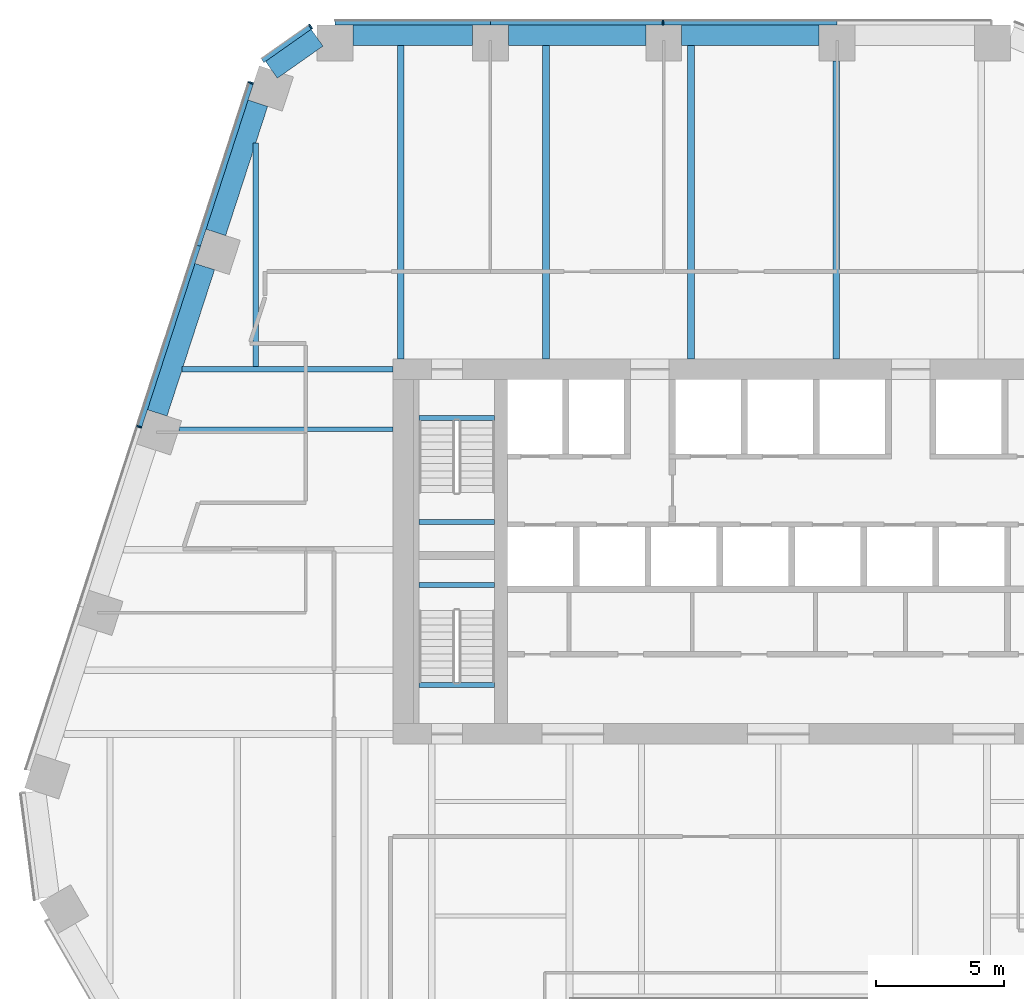
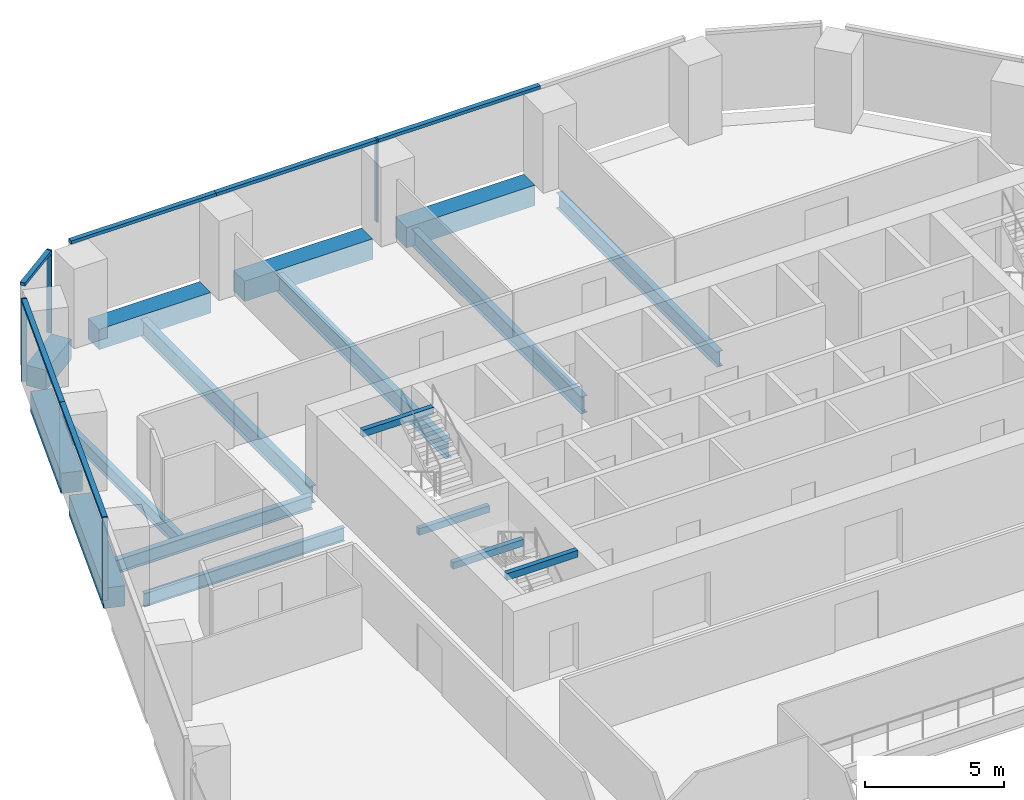
# One storey, part 7 of 16: 17 beams, 10 members, 3 elements without a shape of their own.
"""IFC4 building model written with IfcOpenShell, lengths in metres."""

from ifc_helpers import new_model, si_unit, direction, frame, origin, origin_2d, place, context, subcontext, project, spatial, rectangle, i_section, extrude, material, layer, layer_set, material_profile, profile_set, type_object, element, aggregate, save


model = new_model("IFC4")

# Units and contexts
model_context = context("Model", 3, precision=1e-05, world=origin(), true_north=direction((0.0, 1.0)))
body_context = subcontext(model_context, "Body", "Model", "MODEL_VIEW")
ifc_project = project(units=[si_unit("LENGTHUNIT", "METRE"), si_unit("AREAUNIT", "SQUARE_METRE"), si_unit("VOLUMEUNIT", "CUBIC_METRE"), si_unit("PLANEANGLEUNIT", "RADIAN"), si_unit("MASSUNIT", "GRAM", prefix="KILO")], contexts=[model_context])

# Site, building, storey
site_placement = place(None, origin())
site = spatial("IfcSite", under=ifc_project, at=site_placement, CompositionType="ELEMENT")
building_placement = place(site_placement, origin())
building = spatial("IfcBuilding", under=site, at=building_placement, Name="Isthmus Gate Tower", CompositionType="ELEMENT")
storey_placement = place(building_placement, frame((0.0, 0.0, 151.699951171875)))
storey = spatial("IfcBuildingStorey", under=building, at=storey_placement, Name="L37", CompositionType="ELEMENT", Elevation=151.699951171875)

# Curtain wall, member
ifc_material_1 = material(Name="Aluminium, pale champagne anodised", Category="aluminium")
ifc_layer = layer(ifc_material_1, 0.199951171875)
ifc_layer_set = layer_set([ifc_layer], Name="CW-1 UNITISED CURTAIN WALL 200 DEEP")
curtain_wall_type = type_object("IfcCurtainWallType", Name="CW-1 UNITISED CURTAIN WALL 200 DEEP", PredefinedType="NOTDEFINED", material=ifc_layer_set)
curtain_wall_1_placement = place(storey_placement, origin())
curtain_wall_1 = element("IfcCurtainWall", 1, at=curtain_wall_1_placement, inside=storey, type_object=curtain_wall_type, Name="CW-1 N L37", PredefinedType="NOTDEFINED")
ifc_material_2 = material(Name="Aluminium, pale champagne anodised", Category="aluminium")
ifc_material_profile_1 = material_profile(ifc_material_2, rectangle(XDim=0.06005859375, YDim=0.199951171875, at=origin_2d()), Name="60x200")
ifc_profile_set_1 = profile_set([ifc_material_profile_1], Name="Aluminium, pale champagne anodised")
member_type_1 = type_object("IfcMemberType", Name="CW-1 MULLION 60 X 200", PredefinedType="MULLION", material=ifc_profile_set_1)
member_1_placement = place(storey_placement, frame((-4.49169921875, 28.10009765625, 0.0), z_axis=(0.0, 0.0, 1.0), x_axis=(-1.0, 0.0, 0.0)))
member_1 = element("IfcMember", 2, at=member_1_placement, type_object=member_type_1, Name="CW-1 mullion", PredefinedType="MULLION", context=body_context, shape_type="SweptSolid", body=[
    extrude(rectangle(XDim=0.06005859375, YDim=0.199951171875, at=origin_2d()), origin(), (0.0, 0.0, 1.0), 3.650146484375),
])

curtain_wall_2_placement = place(storey_placement, origin())
curtain_wall_2 = element("IfcCurtainWall", 3, at=curtain_wall_2_placement, inside=storey, type_object=curtain_wall_type, Name="CW-1 N-NW L37", PredefinedType="NOTDEFINED")
member_2_placement = place(storey_placement, frame((-18.216552734375, 27.943115234375, 0.0), z_axis=(0.0, 0.0, 1.0), x_axis=(-0.81785959165, -0.57541783805, 0.0)))
member_2 = element("IfcMember", 4, at=member_2_placement, type_object=member_type_1, Name="CW-1 mullion", PredefinedType="MULLION", context=body_context, shape_type="SweptSolid", body=[
    extrude(rectangle(XDim=0.06005859375, YDim=0.199951171875, at=origin_2d()), origin(), (0.0, 0.0, 1.0), 3.650146484375),
])

# Curtain wall, members
curtain_wall_3_placement = place(storey_placement, origin())
curtain_wall_3 = element("IfcCurtainWall", 5, at=curtain_wall_3_placement, inside=storey, type_object=curtain_wall_type, Name="CW-1 NW L37", PredefinedType="NOTDEFINED")
member_3_placement = place(storey_placement, frame((-20.53564453125, 25.75146484375, 0.0), z_axis=(0.0, 0.0, 1.0), x_axis=(-0.309016994375, -0.951056516295, 0.0)))
member_3 = element("IfcMember", 6, at=member_3_placement, type_object=member_type_1, Name="CW-1 mullion", PredefinedType="MULLION", context=body_context, shape_type="SweptSolid", body=[
    extrude(rectangle(XDim=0.06005859375, YDim=0.199951171875, at=origin_2d()), origin(), (0.0, 0.0, 1.0), 3.650146484375),
])
member_4_placement = place(storey_placement, frame((-24.886962890625, 12.359130859375, 0.0), z_axis=(0.0, 0.0, 1.0), x_axis=(-0.309016994375, -0.951056516295, 0.0)))
member_4 = element("IfcMember", 7, at=member_4_placement, type_object=member_type_1, Name="CW-1 mullion", PredefinedType="MULLION", context=body_context, shape_type="SweptSolid", body=[
    extrude(rectangle(XDim=0.06005859375, YDim=0.199951171875, at=origin_2d()), origin(), (0.0, 0.0, 1.0), 3.650146484375),
])

# Member
ifc_material_3 = material(Name="Aluminium, pale champagne anodised", Category="aluminium")
ifc_material_profile_2 = material_profile(ifc_material_3, rectangle(XDim=0.199951171875, YDim=0.139892578125, at=origin_2d()), Name="200x140")
ifc_profile_set_2 = profile_set([ifc_material_profile_2], Name="Aluminium, pale champagne anodised")
member_type_2 = type_object("IfcMemberType", Name="CW-1 TRANSOM 200 X 140", PredefinedType="USERDEFINED", material=ifc_profile_set_2)
member_5_placement = place(storey_placement, frame((2.288330078125, 28.10009765625, 3.580078125), z_axis=(-1.0, 0.0, 0.0), x_axis=(0.0, -1.0, 0.0)))
member_5 = element("IfcMember", 8, at=member_5_placement, type_object=member_type_2, Name="CW-1 transom", ObjectType="TRANSOM", PredefinedType="USERDEFINED", context=body_context, shape_type="SweptSolid", body=[
    extrude(rectangle(XDim=0.199951171875, YDim=0.139892578125, at=origin_2d()), origin(), (0.0, 0.0, 1.0), 6.75),
])

member_6_placement = place(storey_placement, frame((-4.521728515625, 28.10009765625, 3.580078125), z_axis=(-1.0, 0.0, 0.0), x_axis=(0.0, -1.0, 0.0)))
member_6 = element("IfcMember", 9, at=member_6_placement, type_object=member_type_2, Name="CW-1 transom", ObjectType="TRANSOM", PredefinedType="USERDEFINED", context=body_context, shape_type="SweptSolid", body=[
    extrude(rectangle(XDim=0.199951171875, YDim=0.139892578125, at=origin_2d()), origin(), (0.0, 0.0, 1.0), 6.690185546875),
])

member_7_placement = place(storey_placement, frame((-11.2119140625, 28.10009765625, 3.580078125), z_axis=(-1.0, 0.0, 0.0), x_axis=(0.0, -1.0, 0.0)))
member_7 = element("IfcMember", 10, at=member_7_placement, type_object=member_type_2, Name="CW-1 transom", ObjectType="TRANSOM", PredefinedType="USERDEFINED", context=body_context, shape_type="SweptSolid", body=[
    extrude(rectangle(XDim=0.199951171875, YDim=0.139892578125, at=origin_2d()), origin(), (0.0, 0.0, 1.0), 6.050048828125),
])

aggregate(curtain_wall_1, [member_5, member_1, member_6, member_7])

member_8_placement = place(storey_placement, frame((-18.2412109375, 27.92578125, 3.580078125), z_axis=(-0.817868595604, -0.575405040233, 0.0), x_axis=(0.575405040233, -0.817868595604, 0.0)))
member_8 = element("IfcMember", 11, at=member_8_placement, type_object=member_type_2, Name="CW-1 transom", ObjectType="TRANSOM", PredefinedType="USERDEFINED", context=body_context, shape_type="SweptSolid", body=[
    extrude(rectangle(XDim=0.199951171875, YDim=0.139892578125, at=origin_2d()), origin(), (0.0, 0.0, 1.0), 2.258544921875),
])

aggregate(curtain_wall_2, [member_2, member_8])

member_9_placement = place(storey_placement, frame((-20.544921875, 25.72314453125, 3.580078125), z_axis=(-0.30898366881, -0.951067343782, 0.0), x_axis=(0.951067343782, -0.30898366881, 0.0)))
member_9 = element("IfcMember", 12, at=member_9_placement, type_object=member_type_2, Name="CW-1 transom", ObjectType="TRANSOM", PredefinedType="USERDEFINED", context=body_context, shape_type="SweptSolid", body=[
    extrude(rectangle(XDim=0.199951171875, YDim=0.139892578125, at=origin_2d()), origin(), (0.0, 0.0, 1.0), 6.630859375),
])

member_10_placement = place(storey_placement, frame((-22.59375, 19.416748046875, 3.580078125), z_axis=(-0.309024076379, -0.951054215183, 0.0), x_axis=(0.951054215183, -0.309024076379, 0.0)))
member_10 = element("IfcMember", 13, at=member_10_placement, type_object=member_type_2, Name="CW-1 transom", ObjectType="TRANSOM", PredefinedType="USERDEFINED", context=body_context, shape_type="SweptSolid", body=[
    extrude(rectangle(XDim=0.199951171875, YDim=0.139892578125, at=origin_2d()), origin(), (0.0, 0.0, 1.0), 7.390869140625),
])

aggregate(curtain_wall_3, [member_3, member_9, member_10, member_4])

# Beams
ifc_material_4 = material(Name="Concrete f'c 60 MPa", Category="concrete")
ifc_material_profile_3 = material_profile(ifc_material_4, rectangle(XDim=0.800048828125, YDim=0.89990234375, at=origin_2d()), Name="RC 800X900")
ifc_profile_set_3 = profile_set([ifc_material_profile_3], Name="Concrete f'c 60 MPa")
beam_type_1 = type_object("IfcBeamType", Name="RC SPANDREL 800 X 900", PredefinedType="SPANDREL", material=ifc_profile_set_3)
beam_1_placement = place(storey_placement, frame((-24.185791015625, 12.89892578125, -0.449951171875), z_axis=(0.308992998998, 0.951064312531, 0.0), x_axis=(-0.951064312531, 0.308992998998, 0.0)))
element("IfcBeam", 14, at=beam_1_placement, inside=storey, type_object=beam_type_1, Name="str-spandrel-L37-23", PredefinedType="SPANDREL", context=body_context, shape_type="SweptSolid", body=[
    extrude(rectangle(XDim=0.800048828125, YDim=0.89990234375, at=origin_2d()), origin(), (0.0, 0.0, 1.0), 5.99072265625),
])
beam_2_placement = place(storey_placement, frame((-21.902099609375, 19.927978515625, -0.449951171875), z_axis=(0.309020339202, 0.951055429489, 0.0), x_axis=(-0.951055429489, 0.309020339202, 0.0)))
element("IfcBeam", 15, at=beam_2_placement, inside=storey, type_object=beam_type_1, Name="str-spandrel-L37-24", PredefinedType="SPANDREL", context=body_context, shape_type="SweptSolid", body=[
    extrude(rectangle(XDim=0.800048828125, YDim=0.89990234375, at=origin_2d()), origin(), (0.0, 0.0, 1.0), 5.291015625),
])
beam_3_placement = place(storey_placement, frame((-19.7392578125, 26.260498046875, -0.449951171875), z_axis=(0.817857331203, 0.575421050882, 0.0), x_axis=(-0.575421050882, 0.817857331203, 0.0)))
element("IfcBeam", 16, at=beam_3_placement, inside=storey, type_object=beam_type_1, Name="str-spandrel-L37-25", PredefinedType="SPANDREL", context=body_context, shape_type="SweptSolid", body=[
    extrude(rectangle(XDim=0.800048828125, YDim=0.89990234375, at=origin_2d()), origin(), (0.0, 0.0, 1.0), 2.173095703125),
])
beam_4_placement = place(storey_placement, frame((-16.56201171875, 27.60009765625, -0.449951171875), z_axis=(1.0, 0.0, 0.0), x_axis=(0.0, 1.0, 0.0)))
element("IfcBeam", 17, at=beam_4_placement, inside=storey, type_object=beam_type_1, Name="str-spandrel-L37-26", PredefinedType="SPANDREL", context=body_context, shape_type="SweptSolid", body=[
    extrude(rectangle(XDim=0.800048828125, YDim=0.89990234375, at=origin_2d()), origin(), (0.0, 0.0, 1.0), 4.650146484375),
])
for number, where, z_axis, x_axis, name in (
    (18, (-10.51171875, 27.60009765625, -0.449951171875), (1.0, 0.0, 0.0), (0.0, 1.0, 0.0), "str-spandrel-L37-27"),
    (19, (-3.76171875, 27.60009765625, -0.449951171875), (1.0, 0.0, 0.0), (0.0, 1.0, 0.0), "str-spandrel-L37-28"),
):
    element("IfcBeam", number, at=place(storey_placement, frame(where, z_axis=z_axis, x_axis=x_axis)), inside=storey, type_object=beam_type_1, Name=name, PredefinedType="SPANDREL", context=body_context, shape_type="SweptSolid", body=[
        extrude(rectangle(XDim=0.800048828125, YDim=0.89990234375, at=origin_2d()), origin(), (0.0, 0.0, 1.0), 5.35009765625),
    ])
ifc_material_5 = material(Name="Concrete f'c 40 MPa", Category="concrete")
ifc_material_profile_4 = material_profile(ifc_material_5, rectangle(XDim=0.199951171875, YDim=0.300048828125, at=origin_2d()), Name="STAIR LANDING BEAM RC 200 X 300")
ifc_profile_set_4 = profile_set([ifc_material_profile_4], Name="Concrete f'c 40 MPa")
beam_type_2 = type_object("IfcBeamType", Name="STAIR LANDING BEAM RC 200 X 300", PredefinedType="BEAM", material=ifc_profile_set_4)
for number, where, z_axis, x_axis, name in (
    (20, (-14.0, 8.64990234375, 1.47509765625), (1.0, 0.0, 0.0), (0.0, 1.0, 0.0), "L37 ST1 landing beam 1"),
    (21, (-14.0, 12.7001953125, 3.35009765625), (1.0, 0.0, 0.0), (0.0, 1.0, 0.0), "L37 ST1 floor-edge seat beam"),
    (22, (-14.0, 6.199951171875, 1.47509765625), (1.0, 0.0, 0.0), (0.0, 1.0, 0.0), "L37 ST7 landing beam 1"),
    (23, (-14.0, 2.2998046875, 3.35009765625), (1.0, 0.0, 0.0), (0.0, 1.0, 0.0), "L37 ST7 floor-edge seat beam"),
):
    element("IfcBeam", number, at=place(storey_placement, frame(where, z_axis=z_axis, x_axis=x_axis)), inside=storey, type_object=beam_type_2, Name=name, PredefinedType="BEAM", context=body_context, shape_type="SweptSolid", body=[
        extrude(rectangle(XDim=0.199951171875, YDim=0.300048828125, at=origin_2d()), origin(), (0.0, 0.0, 1.0), 2.949951171875),
    ])
ifc_material_6 = material(Name="Structural steel ASTM A992 Gr 50", Category="steel")
ifc_material_profile_5 = material_profile(ifc_material_6, i_section(OverallWidth=0.177734375, OverallDepth=0.60009765625, WebThickness=0.009521484375, FlangeThickness=0.0126953125, at=origin_2d()), Name="W24X55")
ifc_profile_set_5 = profile_set([ifc_material_profile_5], Name="Structural steel ASTM A992 Gr 50")
beam_type_3 = type_object("IfcBeamType", Name="STEEL FLOOR BEAM W24X55", PredefinedType="JOIST", material=ifc_profile_set_5)
beam_5_placement = place(storey_placement, frame((-23.343505859375, 12.25537109375, -0.449951171875), z_axis=(1.0, 0.0, 0.0), x_axis=(0.0, 1.0, 0.0)))
element("IfcBeam", 24, at=beam_5_placement, inside=storey, type_object=beam_type_3, Name="str-beam-L37-01-02", PredefinedType="JOIST", context=body_context, shape_type="SweptSolid", body=[
    extrude(i_section(OverallWidth=0.177734375, OverallDepth=0.60009765625, WebThickness=0.009521484375, FlangeThickness=0.0126953125, at=origin_2d()), origin(), (0.0, 0.0, 1.0), 8.343505859375),
])
ifc_material_7 = material(Name="Structural steel ASTM A992 Gr 50", Category="steel")
ifc_material_profile_6 = material_profile(ifc_material_7, i_section(OverallWidth=0.228515625, OverallDepth=0.603271484375, WebThickness=0.010986328125, FlangeThickness=0.014404296875, at=origin_2d()), Name="W24X68")
ifc_profile_set_6 = profile_set([ifc_material_profile_6], Name="Structural steel ASTM A992 Gr 50")
beam_type_4 = type_object("IfcBeamType", Name="STEEL FLOOR BEAM W24X68", PredefinedType="JOIST", material=ifc_profile_set_6)
beam_6_placement = place(storey_placement, frame((-20.35009765625, 14.71435546875, -0.45166015625), z_axis=(0.0, 1.0, 0.0), x_axis=(-1.0, 0.0, 0.0)))
element("IfcBeam", 25, at=beam_6_placement, inside=storey, type_object=beam_type_4, Name="str-beam-L37-05-00", PredefinedType="JOIST", context=body_context, shape_type="SweptSolid", body=[
    extrude(i_section(OverallWidth=0.228515625, OverallDepth=0.603271484375, WebThickness=0.010986328125, FlangeThickness=0.014404296875, at=origin_2d()), origin(), (0.0, 0.0, 1.0), 8.6953125),
])
ifc_material_8 = material(Name="Structural steel ASTM A992 Gr 50", Category="steel")
ifc_material_profile_7 = material_profile(ifc_material_8, i_section(OverallWidth=0.25390625, OverallDepth=0.679443359375, WebThickness=0.010986328125, FlangeThickness=0.015869140625, at=origin_2d()), Name="W27X84")
ifc_profile_set_7 = profile_set([ifc_material_profile_7], Name="Structural steel ASTM A992 Gr 50")
beam_type_5 = type_object("IfcBeamType", Name="STEEL FLOOR BEAM W27X84", PredefinedType="JOIST", material=ifc_profile_set_7)
beam_7_placement = place(storey_placement, frame((2.25244140625, 15.0, -0.48974609375), z_axis=(0.0, 1.0, 0.0), x_axis=(-1.0, 0.0, 0.0)))
element("IfcBeam", 26, at=beam_7_placement, inside=storey, type_object=beam_type_5, Name="str-beam-L37-05-04", PredefinedType="JOIST", context=body_context, shape_type="SweptSolid", body=[
    extrude(i_section(OverallWidth=0.25390625, OverallDepth=0.679443359375, WebThickness=0.010986328125, FlangeThickness=0.015869140625, at=origin_2d()), origin(), (0.0, 0.0, 1.0), 11.60009765625),
])
ifc_material_9 = material(Name="Structural steel ASTM A992 Gr 50", Category="steel")
ifc_material_profile_8 = material_profile(ifc_material_9, i_section(OverallWidth=0.263427734375, OverallDepth=0.749267578125, WebThickness=0.0126953125, FlangeThickness=0.015869140625, at=origin_2d()), Name="W30X90")
ifc_profile_set_8 = profile_set([ifc_material_profile_8], Name="Structural steel ASTM A992 Gr 50")
beam_type_6 = type_object("IfcBeamType", Name="STEEL FLOOR BEAM W30X90", PredefinedType="JOIST", material=ifc_profile_set_8)
for number, where, z_axis, x_axis, name in (
    (27, (-14.699462890625, 15.0, -0.524658203125), (0.0, 1.0, 0.0), (-1.0, 0.0, 0.0), "str-beam-L37-05-01"),
    (28, (-9.048828125, 15.0, -0.524658203125), (0.0, 1.0, 0.0), (-1.0, 0.0, 0.0), "str-beam-L37-05-02"),
    (29, (-3.398193359375, 15.0, -0.524658203125), (0.0, 1.0, 0.0), (-1.0, 0.0, 0.0), "str-beam-L37-05-03"),
):
    element("IfcBeam", number, at=place(storey_placement, frame(where, z_axis=z_axis, x_axis=x_axis)), inside=storey, type_object=beam_type_6, Name=name, PredefinedType="JOIST", context=body_context, shape_type="SweptSolid", body=[
        extrude(i_section(OverallWidth=0.263427734375, OverallDepth=0.749267578125, WebThickness=0.0126953125, FlangeThickness=0.015869140625, at=origin_2d()), origin(), (0.0, 0.0, 1.0), 12.199951171875),
    ])
ifc_material_10 = material(Name="Structural steel ASTM A992 Gr 50", Category="steel")
ifc_material_profile_9 = material_profile(ifc_material_10, i_section(OverallWidth=0.228515625, OverallDepth=0.6064453125, WebThickness=0.010986328125, FlangeThickness=0.017578125, at=origin_2d()), Name="W24X76")
ifc_profile_set_9 = profile_set([ifc_material_profile_9], Name="Structural steel ASTM A992 Gr 50")
beam_type_7 = type_object("IfcBeamType", Name="STEEL GIRDER W24X76", PredefinedType="BEAM", material=ifc_profile_set_9)
beam_8_placement = place(storey_placement, frame((-15.0, 14.60009765625, -0.453125), z_axis=(-1.0, 0.0, 0.0), x_axis=(0.0, -1.0, 0.0)))
element("IfcBeam", 30, at=beam_8_placement, inside=storey, type_object=beam_type_7, Name="str-girder-L37-15", PredefinedType="BEAM", context=body_context, shape_type="SweptSolid", body=[
    extrude(i_section(OverallWidth=0.228515625, OverallDepth=0.6064453125, WebThickness=0.010986328125, FlangeThickness=0.017578125, at=origin_2d()), origin(), (0.0, 0.0, 1.0), 8.212646484375),
])

save(model, "model.ifc")
